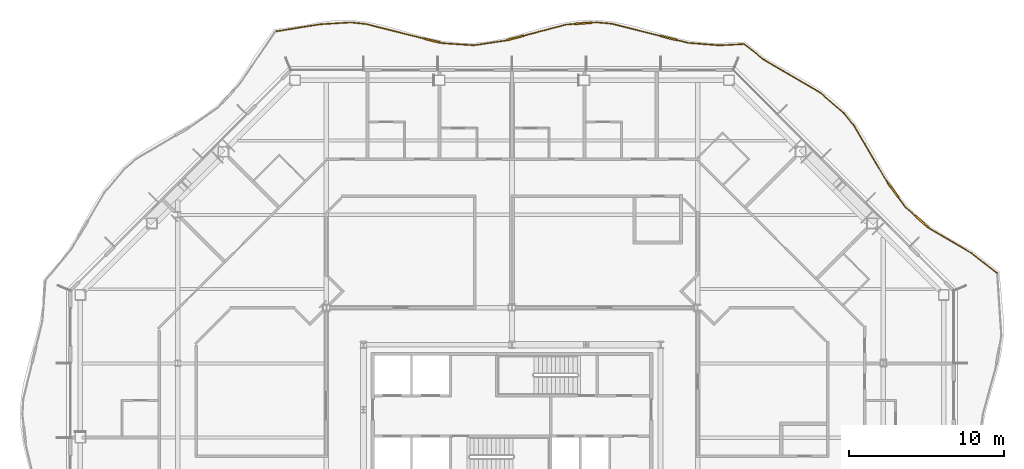
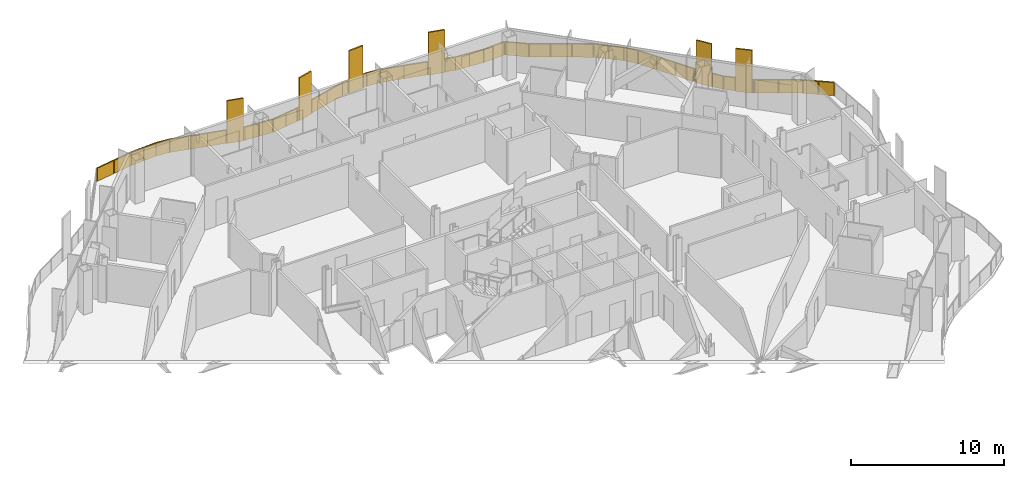
# One storey, part 21 of 21: 2 railings.
"""IFC4 building model written with IfcOpenShell, lengths in metres."""

from ifc_helpers import new_model, si_unit, direction, frame, origin, origin_2d, place, context, subcontext, project, spatial, polyline, rectangle, outline, extrude, material, type_object, element, save


model = new_model("IFC4")

# Units and contexts
model_context = context("Model", 3, precision=1e-05, world=origin(), true_north=direction((0.0, 1.0)))
body_context = subcontext(model_context, "Body", "Model", "MODEL_VIEW")
ifc_project = project(units=[si_unit("LENGTHUNIT", "METRE"), si_unit("AREAUNIT", "SQUARE_METRE"), si_unit("VOLUMEUNIT", "CUBIC_METRE"), si_unit("PLANEANGLEUNIT", "RADIAN"), si_unit("MASSUNIT", "GRAM", prefix="KILO")], contexts=[model_context])

# Site, building, storey
site_placement = place(None, origin())
site = spatial("IfcSite", under=ifc_project, at=site_placement, CompositionType="ELEMENT")
building_placement = place(site_placement, origin())
building = spatial("IfcBuilding", under=site, at=building_placement, Name="Cairn Pilgrim Tower", CompositionType="ELEMENT")
storey_placement = place(building_placement, frame((0.0, 0.0, 136.199951171875)))
storey = spatial("IfcBuildingStorey", under=building, at=storey_placement, Name="L33", CompositionType="ELEMENT", Elevation=136.199951171875)

# Railings
ifc_material = material(Name="Bronze anodised aluminium rail, posts and fin screens with laminated glass infill", Category="aluminium")
railing_type = type_object("IfcRailingType", Name="BALCONY GUARD WITH FIN SCREENS", PredefinedType="GUARDRAIL", material=ifc_material)
railing_1_placement = place(storey_placement, frame((38.553955078125, 15.44091796875, 0.0)))
element("IfcRailing", 1, at=railing_1_placement, inside=storey, type_object=railing_type, Name="Balcony guard BGF-4 with fin screens", PredefinedType="GUARDRAIL", context=body_context, shape_type="SweptSolid", body=[
    extrude(rectangle(XDim=0.050048828125, YDim=0.050048828125, at=origin_2d()), frame((0.0, 0.0, 1.0751953125), z_axis=(-0.789984986804, 0.613126186543, 0.0), x_axis=(-0.613126186543, -0.789984986804, 0.0)), (0.0, 0.0, 1.0), 2.076171875),
    extrude(rectangle(XDim=0.050048828125, YDim=0.050048828125, at=origin_2d()), frame((-1.64013671875, 1.27294921875, 1.0751953125), z_axis=(-0.862112873703, 0.506716284517, 0.0), x_axis=(-0.506716284517, -0.862112873703, 0.0)), (0.0, 0.0, 1.0), 3.16064453125),
    extrude(rectangle(XDim=1.10009765625, YDim=0.110107421875, at=origin_2d()), frame((-4.88916015625, 3.338623046875, 0.0), z_axis=(0.0, 0.0, 1.0), x_axis=(-0.748708517903, 0.662899355272, 0.0)), (0.0, 0.0, 1.0), 3.39990234375),
    extrude(rectangle(XDim=0.050048828125, YDim=0.050048828125, at=origin_2d()), frame((-4.364990234375, 2.87451171875, 1.0751953125), z_axis=(-0.748708517903, 0.662899355272, 0.0), x_axis=(-0.662899355272, -0.748708517903, 0.0)), (0.0, 0.0, 1.0), 0.150146484375),
    extrude(rectangle(XDim=0.050048828125, YDim=0.050048828125, at=origin_2d()), frame((-5.301025390625, 3.703369140625, 1.0751953125), z_axis=(-0.748708517903, 0.662899355272, 0.0), x_axis=(-0.662899355272, -0.748708517903, 0.0)), (0.0, 0.0, 1.0), 0.821044921875),
    extrude(rectangle(XDim=1.10009765625, YDim=0.110107421875, at=origin_2d()), frame((-6.72998046875, 5.36865234375, 0.0), z_axis=(0.0, 0.0, 1.0), x_axis=(-0.587698248928, 0.809080198872, 0.0)), (0.0, 0.0, 1.0), 3.39990234375),
    extrude(rectangle(XDim=0.050048828125, YDim=0.050048828125, at=origin_2d()), frame((-5.915771484375, 4.24755859375, 1.0751953125), z_axis=(-0.587698248928, 0.809080198872, 0.0), x_axis=(-0.809080198872, -0.587698248928, 0.0)), (0.0, 0.0, 1.0), 0.835693359375),
    extrude(rectangle(XDim=0.050048828125, YDim=0.050048828125, at=origin_2d()), frame((-7.05322265625, 5.813720703125, 1.0751953125), z_axis=(-0.587698248928, 0.809080198872, 0.0), x_axis=(-0.809080198872, -0.587698248928, 0.0)), (0.0, 0.0, 1.0), 0.14990234375),
    extrude(rectangle(XDim=0.050048828125, YDim=0.050048828125, at=origin_2d()), frame((-7.141357421875, 5.934814453125, 1.0751953125), z_axis=(-0.508004914675, 0.861354170284, 0.0), x_axis=(-0.861354170284, -0.508004914675, 0.0)), (0.0, 0.0, 1.0), 4.2021484375),
    extrude(rectangle(XDim=0.050048828125, YDim=0.050048828125, at=origin_2d()), frame((-9.276123046875, 9.554443359375, 1.0751953125), z_axis=(-0.631493491772, 0.775381177131, 0.0), x_axis=(-0.775381177131, -0.631493491772, 0.0)), (0.0, 0.0, 1.0), 0.999267578125),
    extrude(rectangle(XDim=0.050048828125, YDim=0.050048828125, at=origin_2d()), frame((-9.9072265625, 10.329345703125, 1.0751953125), z_axis=(-0.754203567869, 0.656640676637, 0.0), x_axis=(-0.656640676637, -0.754203567869, 0.0)), (0.0, 0.0, 1.0), 2.014404296875),
    extrude(rectangle(XDim=0.050048828125, YDim=0.050048828125, at=origin_2d()), frame((-11.426513671875, 11.652099609375, 1.0751953125), z_axis=(-0.863224821257, 0.504819678663, 0.0), x_axis=(-0.504819678663, -0.863224821257, 0.0)), (0.0, 0.0, 1.0), 4.20703125),
    extrude(rectangle(XDim=0.050048828125, YDim=0.050048828125, at=origin_2d()), frame((-15.05810546875, 13.77587890625, 1.0751953125), z_axis=(-0.78277699912, 0.62230231371, 0.0), x_axis=(-0.62230231371, -0.78277699912, 0.0)), (0.0, 0.0, 1.0), 1.582275390625),
    extrude(rectangle(XDim=0.050048828125, YDim=0.050048828125, at=origin_2d()), origin(), (0.0, 0.0, 1.0), 1.050048828125),
    extrude(rectangle(XDim=0.050048828125, YDim=0.050048828125, at=origin_2d()), frame((-0.820068359375, 0.636474609375, 0.0)), (0.0, 0.0, 1.0), 1.050048828125),
    extrude(rectangle(XDim=0.050048828125, YDim=0.050048828125, at=origin_2d()), frame((-1.64013671875, 1.27294921875, 0.0)), (0.0, 0.0, 1.0), 1.050048828125),
    extrude(rectangle(XDim=0.050048828125, YDim=0.050048828125, at=origin_2d()), frame((-3.00244140625, 2.07373046875, 0.0)), (0.0, 0.0, 1.0), 1.050048828125),
    extrude(rectangle(XDim=0.050048828125, YDim=0.050048828125, at=origin_2d()), frame((-4.364990234375, 2.87451171875, 0.0)), (0.0, 0.0, 1.0), 1.050048828125),
    extrude(rectangle(XDim=0.050048828125, YDim=0.050048828125, at=origin_2d()), frame((-4.458740234375, 2.95751953125, 0.0)), (0.0, 0.0, 1.0), 1.050048828125),
    extrude(rectangle(XDim=0.050048828125, YDim=0.050048828125, at=origin_2d()), frame((-5.31982421875, 3.7197265625, 0.0)), (0.0, 0.0, 1.0), 1.050048828125),
    extrude(rectangle(XDim=0.050048828125, YDim=0.050048828125, at=origin_2d()), frame((-5.915771484375, 4.24755859375, 0.0)), (0.0, 0.0, 1.0), 1.050048828125),
    extrude(rectangle(XDim=0.050048828125, YDim=0.050048828125, at=origin_2d()), frame((-6.39208984375, 4.9033203125, 0.0)), (0.0, 0.0, 1.0), 1.050048828125),
    extrude(rectangle(XDim=0.050048828125, YDim=0.050048828125, at=origin_2d()), frame((-7.068115234375, 5.833740234375, 0.0)), (0.0, 0.0, 1.0), 1.050048828125),
    extrude(rectangle(XDim=0.050048828125, YDim=0.050048828125, at=origin_2d()), frame((-7.141357421875, 5.934814453125, 0.0)), (0.0, 0.0, 1.0), 1.050048828125),
    extrude(rectangle(XDim=0.050048828125, YDim=0.050048828125, at=origin_2d()), frame((-7.85302734375, 7.141357421875, 0.0)), (0.0, 0.0, 1.0), 1.050048828125),
    extrude(rectangle(XDim=0.050048828125, YDim=0.050048828125, at=origin_2d()), frame((-8.564453125, 8.347900390625, 0.0)), (0.0, 0.0, 1.0), 1.050048828125),
    extrude(rectangle(XDim=0.050048828125, YDim=0.050048828125, at=origin_2d()), frame((-9.276123046875, 9.554443359375, 0.0)), (0.0, 0.0, 1.0), 1.050048828125),
    extrude(rectangle(XDim=0.050048828125, YDim=0.050048828125, at=origin_2d()), frame((-9.9072265625, 10.329345703125, 0.0)), (0.0, 0.0, 1.0), 1.050048828125),
    extrude(rectangle(XDim=0.050048828125, YDim=0.050048828125, at=origin_2d()), frame((-10.6669921875, 10.99072265625, 0.0)), (0.0, 0.0, 1.0), 1.050048828125),
    extrude(rectangle(XDim=0.050048828125, YDim=0.050048828125, at=origin_2d()), frame((-11.426513671875, 11.652099609375, 0.0)), (0.0, 0.0, 1.0), 1.050048828125),
    extrude(rectangle(XDim=0.050048828125, YDim=0.050048828125, at=origin_2d()), frame((-12.636962890625, 12.360107421875, 0.0)), (0.0, 0.0, 1.0), 1.050048828125),
    extrude(rectangle(XDim=0.050048828125, YDim=0.050048828125, at=origin_2d()), frame((-13.84765625, 13.06787109375, 0.0)), (0.0, 0.0, 1.0), 1.050048828125),
    extrude(rectangle(XDim=0.050048828125, YDim=0.050048828125, at=origin_2d()), frame((-15.05810546875, 13.77587890625, 0.0)), (0.0, 0.0, 1.0), 1.050048828125),
    extrude(rectangle(XDim=0.050048828125, YDim=0.050048828125, at=origin_2d()), frame((-16.296630859375, 14.760498046875, 0.0)), (0.0, 0.0, 1.0), 1.050048828125),
    extrude(outline(polyline([(0.02490234375, 0.0), (1.012939453125, 0.0), (1.012939453125, 1.050048828125), (0.02490234375, 1.050048828125), (0.02490234375, 0.0)])), frame((-0.003662109375, -0.004638671875, 0.0), z_axis=(0.613126186543, 0.789984986804, 0.0), x_axis=(-0.789984986804, 0.613126186543, 0.0)), (0.0, 0.0, 1.0), 0.011962890625),
    extrude(outline(polyline([(0.02490234375, 0.0), (1.012939453125, 0.0), (1.012939453125, 1.050048828125), (0.02490234375, 1.050048828125), (0.02490234375, 0.0)])), frame((-0.82373046875, 0.6318359375, 0.0), z_axis=(0.613126186543, 0.789984986804, 0.0), x_axis=(-0.789984986804, 0.613126186543, 0.0)), (0.0, 0.0, 1.0), 0.011962890625),
    extrude(outline(polyline([(0.02490234375, 0.0), (1.555419921875, 0.0), (1.555419921875, 1.050048828125), (0.02490234375, 1.050048828125), (0.02490234375, 0.0)])), frame((-1.64306640625, 1.267822265625, 0.0), z_axis=(0.506716284517, 0.862112873703, 0.0), x_axis=(-0.862112873703, 0.506716284517, 0.0)), (0.0, 0.0, 1.0), 0.011962890625),
    extrude(outline(polyline([(0.02490234375, 0.0), (1.555419921875, 0.0), (1.555419921875, 1.050048828125), (0.02490234375, 1.050048828125), (0.02490234375, 0.0)])), frame((-3.005615234375, 2.068603515625, 0.0), z_axis=(0.506716284517, 0.862112873703, 0.0), x_axis=(-0.862112873703, 0.506716284517, 0.0)), (0.0, 0.0, 1.0), 0.011962890625),
    extrude(outline(polyline([(0.02490234375, 0.0), (0.10009765625, 0.0), (0.10009765625, 1.050048828125), (0.02490234375, 1.050048828125), (0.02490234375, 0.0)])), frame((-4.368896484375, 2.8701171875, 0.0), z_axis=(0.662899355272, 0.748708517903, 0.0), x_axis=(-0.748708517903, 0.662899355272, 0.0)), (0.0, 0.0, 1.0), 0.011962890625),
    extrude(outline(polyline([(0.02490234375, 0.0), (0.77099609375, 0.0), (0.77099609375, 1.050048828125), (0.02490234375, 1.050048828125), (0.02490234375, 0.0)])), frame((-5.32373046875, 3.71533203125, 0.0), z_axis=(0.662899355272, 0.748708517903, 0.0), x_axis=(-0.748708517903, 0.662899355272, 0.0)), (0.0, 0.0, 1.0), 0.011962890625),
    extrude(outline(polyline([(0.02490234375, 0.0), (0.78564453125, 0.0), (0.78564453125, 1.050048828125), (0.02490234375, 1.050048828125), (0.02490234375, 0.0)])), frame((-5.920654296875, 4.244140625, 0.0), z_axis=(0.809080198872, 0.587698248928, 0.0), x_axis=(-0.587698248928, 0.809080198872, 0.0)), (0.0, 0.0, 1.0), 0.011962890625),
    extrude(outline(polyline([(0.02490234375, 0.0), (0.099853515625, 0.0), (0.099853515625, 1.050048828125), (0.02490234375, 1.050048828125), (0.02490234375, 0.0)])), frame((-7.07275390625, 5.830322265625, 0.0), z_axis=(0.809080198872, 0.587698248928, 0.0), x_axis=(-0.587698248928, 0.809080198872, 0.0)), (0.0, 0.0, 1.0), 0.011962890625),
    extrude(outline(polyline([(0.02490234375, 0.0), (1.375732421875, 0.0), (1.375732421875, 1.050048828125), (0.02490234375, 1.050048828125), (0.02490234375, 0.0)])), frame((-7.146484375, 5.931884765625, 0.0), z_axis=(0.861354170284, 0.508004914675, 0.0), x_axis=(-0.508004914675, 0.861354170284, 0.0)), (0.0, 0.0, 1.0), 0.011962890625),
    extrude(outline(polyline([(0.02490234375, 0.0), (1.375732421875, 0.0), (1.375732421875, 1.050048828125), (0.02490234375, 1.050048828125), (0.02490234375, 0.0)])), frame((-7.858154296875, 7.138427734375, 0.0), z_axis=(0.861354170284, 0.508004914675, 0.0), x_axis=(-0.508004914675, 0.861354170284, 0.0)), (0.0, 0.0, 1.0), 0.011962890625),
    extrude(outline(polyline([(0.02490234375, 0.0), (1.375732421875, 0.0), (1.375732421875, 1.050048828125), (0.02490234375, 1.050048828125), (0.02490234375, 0.0)])), frame((-8.569580078125, 8.344970703125, 0.0), z_axis=(0.861354170284, 0.508004914675, 0.0), x_axis=(-0.508004914675, 0.861354170284, 0.0)), (0.0, 0.0, 1.0), 0.011962890625),
    extrude(outline(polyline([(0.02490234375, 0.0), (0.974365234375, 0.0), (0.974365234375, 1.050048828125), (0.02490234375, 1.050048828125), (0.02490234375, 0.0)])), frame((-9.28076171875, 9.55078125, 0.0), z_axis=(0.775381177131, 0.631493491772, 0.0), x_axis=(-0.631493491772, 0.775381177131, 0.0)), (0.0, 0.0, 1.0), 0.011962890625),
    extrude(outline(polyline([(0.02490234375, 0.0), (0.982177734375, 0.0), (0.982177734375, 1.050048828125), (0.02490234375, 1.050048828125), (0.02490234375, 0.0)])), frame((-9.9111328125, 10.324951171875, 0.0), z_axis=(0.656640676637, 0.754203567869, 0.0), x_axis=(-0.754203567869, 0.656640676637, 0.0)), (0.0, 0.0, 1.0), 0.011962890625),
    extrude(outline(polyline([(0.02490234375, 0.0), (0.982177734375, 0.0), (0.982177734375, 1.050048828125), (0.02490234375, 1.050048828125), (0.02490234375, 0.0)])), frame((-10.6708984375, 10.986328125, 0.0), z_axis=(0.656640676637, 0.754203567869, 0.0), x_axis=(-0.754203567869, 0.656640676637, 0.0)), (0.0, 0.0, 1.0), 0.011962890625),
    extrude(outline(polyline([(0.02490234375, 0.0), (1.377197265625, 0.0), (1.377197265625, 1.050048828125), (0.02490234375, 1.050048828125), (0.02490234375, 0.0)])), frame((-11.429443359375, 11.64697265625, 0.0), z_axis=(0.504819678663, 0.863224821257, 0.0), x_axis=(-0.863224821257, 0.504819678663, 0.0)), (0.0, 0.0, 1.0), 0.011962890625),
    extrude(outline(polyline([(0.02490234375, 0.0), (1.377197265625, 0.0), (1.377197265625, 1.050048828125), (0.02490234375, 1.050048828125), (0.02490234375, 0.0)])), frame((-12.64013671875, 12.35498046875, 0.0), z_axis=(0.504819678663, 0.863224821257, 0.0), x_axis=(-0.863224821257, 0.504819678663, 0.0)), (0.0, 0.0, 1.0), 0.011962890625),
    extrude(outline(polyline([(0.02490234375, 0.0), (1.377197265625, 0.0), (1.377197265625, 1.050048828125), (0.02490234375, 1.050048828125), (0.02490234375, 0.0)])), frame((-13.8505859375, 13.062744140625, 0.0), z_axis=(0.504819678663, 0.863224821257, 0.0), x_axis=(-0.863224821257, 0.504819678663, 0.0)), (0.0, 0.0, 1.0), 0.011962890625),
    extrude(outline(polyline([(0.02490234375, 0.0), (1.55712890625, 0.0), (1.55712890625, 1.050048828125), (0.02490234375, 1.050048828125), (0.02490234375, 0.0)])), frame((-15.061767578125, 13.771240234375, 0.0), z_axis=(0.62230231371, 0.78277699912, 0.0), x_axis=(-0.78277699912, 0.62230231371, 0.0)), (0.0, 0.0, 1.0), 0.011962890625),
])
railing_2_placement = place(storey_placement, frame((22.21044921875, 30.23876953125, 0.0)))
element("IfcRailing", 2, at=railing_2_placement, inside=storey, type_object=railing_type, Name="Balcony guard BGF-5 with fin screens", PredefinedType="GUARDRAIL", context=body_context, shape_type="SweptSolid", body=[
    extrude(rectangle(XDim=0.050048828125, YDim=0.050048828125, at=origin_2d()), frame((0.0, 0.0, 1.0751953125), z_axis=(-0.998610688741, -0.052694329226, 0.0), x_axis=(0.052694329226, -0.998610688741, 0.0)), (0.0, 0.0, 1.0), 1.607666015625),
    extrude(rectangle(XDim=0.050048828125, YDim=0.050048828125, at=origin_2d()), frame((-1.60546875, -0.084716796875, 1.0751953125), z_axis=(-0.996845642302, 0.079364761846, 0.0), x_axis=(-0.079364761846, -0.996845642302, 0.0)), (0.0, 0.0, 1.0), 2.014892578125),
    extrude(rectangle(XDim=1.10009765625, YDim=0.110107421875, at=origin_2d()), frame((-4.89111328125, 0.3935546875, 0.0), z_axis=(0.0, 0.0, 1.0), x_axis=(-0.970296617056, 0.241918322849, 0.0)), (0.0, 0.0, 1.0), 3.39990234375),
    extrude(rectangle(XDim=0.050048828125, YDim=0.050048828125, at=origin_2d()), frame((-3.614013671875, 0.0751953125, 1.0751953125), z_axis=(-0.970296617056, 0.241918322849, 0.0), x_axis=(-0.241918322849, -0.970296617056, 0.0)), (0.0, 0.0, 1.0), 0.76611328125),
    extrude(rectangle(XDim=0.050048828125, YDim=0.050048828125, at=origin_2d()), frame((-5.4248046875, 0.526611328125, 1.0751953125), z_axis=(-0.970296617056, 0.241918322849, 0.0), x_axis=(-0.241918322849, -0.970296617056, 0.0)), (0.0, 0.0, 1.0), 3.25244140625),
    extrude(rectangle(XDim=0.050048828125, YDim=0.050048828125, at=origin_2d()), frame((-8.58056640625, 1.3134765625, 1.0751953125), z_axis=(-0.995638594988, 0.093294095047, 0.0), x_axis=(-0.093294095047, -0.995638594988, 0.0)), (0.0, 0.0, 1.0), 0.973388671875),
    extrude(rectangle(XDim=1.10009765625, YDim=0.110107421875, at=origin_2d()), frame((-10.433349609375, 1.33935546875, 0.0), z_axis=(0.0, 0.0, 1.0), x_axis=(-0.997301208337, -0.073418661451, 0.0)), (0.0, 0.0, 1.0), 3.39990234375),
    extrude(rectangle(XDim=0.050048828125, YDim=0.050048828125, at=origin_2d()), frame((-9.5498046875, 1.404296875, 1.0751953125), z_axis=(-0.997301208337, -0.073418661451, 0.0), x_axis=(0.073418661451, -0.997301208337, 0.0)), (0.0, 0.0, 1.0), 0.3359375),
    extrude(rectangle(XDim=0.050048828125, YDim=0.050048828125, at=origin_2d()), frame((-10.981689453125, 1.298828125, 1.0751953125), z_axis=(-0.997301208337, -0.073418661451, 0.0), x_axis=(0.073418661451, -0.997301208337, 0.0)), (0.0, 0.0, 1.0), 0.529541015625),
    extrude(rectangle(XDim=1.10009765625, YDim=0.110107421875, at=origin_2d()), frame((-14.7998046875, 0.39501953125, 0.0), z_axis=(0.0, 0.0, 1.0), x_axis=(-0.967133876349, -0.254267703844, 0.0)), (0.0, 0.0, 1.0), 3.39990234375),
    extrude(rectangle(XDim=0.050048828125, YDim=0.050048828125, at=origin_2d()), frame((-11.509765625, 1.260009765625, 1.0751953125), z_axis=(-0.967133876349, -0.254267703844, 0.0), x_axis=(0.254267703844, -0.967133876349, 0.0)), (0.0, 0.0, 1.0), 2.851806640625),
    extrude(rectangle(XDim=0.050048828125, YDim=0.050048828125, at=origin_2d()), frame((-15.33154296875, 0.255126953125, 1.0751953125), z_axis=(-0.967133876349, -0.254267703844, 0.0), x_axis=(0.254267703844, -0.967133876349, 0.0)), (0.0, 0.0, 1.0), 0.150146484375),
    extrude(rectangle(XDim=0.050048828125, YDim=0.050048828125, at=origin_2d()), frame((-15.476806640625, 0.217041015625, 1.0751953125), z_axis=(-0.989203462354, -0.146548661089, 0.0), x_axis=(0.146548661089, -0.989203462354, 0.0)), (0.0, 0.0, 1.0), 2.032470703125),
    extrude(rectangle(XDim=0.050048828125, YDim=0.050048828125, at=origin_2d()), frame((-17.4873046875, -0.080810546875, 1.0751953125), z_axis=(-0.99772377999, 0.067433365944, 0.0), x_axis=(-0.067433365944, -0.99772377999, 0.0)), (0.0, 0.0, 1.0), 2.020263671875),
    extrude(rectangle(XDim=1.10009765625, YDim=0.110107421875, at=origin_2d()), frame((-20.181884765625, 0.22509765625, 0.0), z_axis=(0.0, 0.0, 1.0), x_axis=(-0.970159323814, 0.242468320438, 0.0)), (0.0, 0.0, 1.0), 3.39990234375),
    extrude(rectangle(XDim=0.050048828125, YDim=0.050048828125, at=origin_2d()), frame((-19.5029296875, 0.055419921875, 1.0751953125), z_axis=(-0.970159323814, 0.242468320438, 0.0), x_axis=(-0.242468320438, -0.970159323814, 0.0)), (0.0, 0.0, 1.0), 0.14990234375),
    extrude(rectangle(XDim=0.050048828125, YDim=0.050048828125, at=origin_2d()), frame((-20.715576171875, 0.3583984375, 1.0751953125), z_axis=(-0.970159323814, 0.242468320438, 0.0), x_axis=(-0.242468320438, -0.970159323814, 0.0)), (0.0, 0.0, 1.0), 3.871337890625),
    extrude(rectangle(XDim=0.050048828125, YDim=0.050048828125, at=origin_2d()), frame((-24.47119140625, 1.297119140625, 1.0751953125), z_axis=(-0.994487612581, 0.104854129258, 0.0), x_axis=(-0.104854129258, -0.994487612581, 0.0)), (0.0, 0.0, 1.0), 0.9755859375),
    extrude(rectangle(XDim=0.050048828125, YDim=0.050048828125, at=origin_2d()), frame((-25.44140625, 1.3994140625, 1.0751953125), z_axis=(-0.998109063646, -0.061467853932, 0.0), x_axis=(0.061467853932, -0.998109063646, 0.0)), (0.0, 0.0, 1.0), 1.969970703125),
    extrude(rectangle(XDim=0.050048828125, YDim=0.050048828125, at=origin_2d()), frame((-27.40771484375, 1.2783203125, 1.0751953125), z_axis=(-0.987312348881, -0.158790194113, 0.0), x_axis=(0.158790194113, -0.987312348881, 0.0)), (0.0, 0.0, 1.0), 2.88134765625),
    extrude(rectangle(XDim=0.050048828125, YDim=0.050048828125, at=origin_2d()), origin(), (0.0, 0.0, 1.0), 1.050048828125),
    extrude(rectangle(XDim=0.050048828125, YDim=0.050048828125, at=origin_2d()), frame((-1.60546875, -0.084716796875, 0.0)), (0.0, 0.0, 1.0), 1.050048828125),
    extrude(rectangle(XDim=0.050048828125, YDim=0.050048828125, at=origin_2d()), frame((-2.60986328125, -0.0048828125, 0.0)), (0.0, 0.0, 1.0), 1.050048828125),
    extrude(rectangle(XDim=0.050048828125, YDim=0.050048828125, at=origin_2d()), frame((-3.614013671875, 0.0751953125, 0.0)), (0.0, 0.0, 1.0), 1.050048828125),
    extrude(rectangle(XDim=0.050048828125, YDim=0.050048828125, at=origin_2d()), frame((-4.333251953125, 0.25439453125, 0.0)), (0.0, 0.0, 1.0), 1.050048828125),
    extrude(rectangle(XDim=0.050048828125, YDim=0.050048828125, at=origin_2d()), frame((-5.448974609375, 0.53271484375, 0.0)), (0.0, 0.0, 1.0), 1.050048828125),
    extrude(rectangle(XDim=0.050048828125, YDim=0.050048828125, at=origin_2d()), frame((-7.014892578125, 0.923095703125, 0.0)), (0.0, 0.0, 1.0), 1.050048828125),
    extrude(rectangle(XDim=0.050048828125, YDim=0.050048828125, at=origin_2d()), frame((-8.58056640625, 1.3134765625, 0.0)), (0.0, 0.0, 1.0), 1.050048828125),
    extrude(rectangle(XDim=0.050048828125, YDim=0.050048828125, at=origin_2d()), frame((-9.5498046875, 1.404296875, 0.0)), (0.0, 0.0, 1.0), 1.050048828125),
    extrude(rectangle(XDim=0.050048828125, YDim=0.050048828125, at=origin_2d()), frame((-9.85986328125, 1.381591796875, 0.0)), (0.0, 0.0, 1.0), 1.050048828125),
    extrude(rectangle(XDim=0.050048828125, YDim=0.050048828125, at=origin_2d()), frame((-11.006591796875, 1.297119140625, 0.0)), (0.0, 0.0, 1.0), 1.050048828125),
    extrude(rectangle(XDim=0.050048828125, YDim=0.050048828125, at=origin_2d()), frame((-11.509765625, 1.260009765625, 0.0)), (0.0, 0.0, 1.0), 1.050048828125),
    extrude(rectangle(XDim=0.050048828125, YDim=0.050048828125, at=origin_2d()), frame((-12.876708984375, 0.900634765625, 0.0)), (0.0, 0.0, 1.0), 1.050048828125),
    extrude(rectangle(XDim=0.050048828125, YDim=0.050048828125, at=origin_2d()), frame((-14.24365234375, 0.541259765625, 0.0)), (0.0, 0.0, 1.0), 1.050048828125),
    extrude(rectangle(XDim=0.050048828125, YDim=0.050048828125, at=origin_2d()), frame((-15.35595703125, 0.248779296875, 0.0)), (0.0, 0.0, 1.0), 1.050048828125),
    extrude(rectangle(XDim=0.050048828125, YDim=0.050048828125, at=origin_2d()), frame((-15.476806640625, 0.217041015625, 0.0)), (0.0, 0.0, 1.0), 1.050048828125),
    extrude(rectangle(XDim=0.050048828125, YDim=0.050048828125, at=origin_2d()), frame((-16.48193359375, 0.068115234375, 0.0)), (0.0, 0.0, 1.0), 1.050048828125),
    extrude(rectangle(XDim=0.050048828125, YDim=0.050048828125, at=origin_2d()), frame((-17.4873046875, -0.080810546875, 0.0)), (0.0, 0.0, 1.0), 1.050048828125),
    extrude(rectangle(XDim=0.050048828125, YDim=0.050048828125, at=origin_2d()), frame((-18.4951171875, -0.0126953125, 0.0)), (0.0, 0.0, 1.0), 1.050048828125),
    extrude(rectangle(XDim=0.050048828125, YDim=0.050048828125, at=origin_2d()), frame((-19.5029296875, 0.055419921875, 0.0)), (0.0, 0.0, 1.0), 1.050048828125),
    extrude(rectangle(XDim=0.050048828125, YDim=0.050048828125, at=origin_2d()), frame((-19.6240234375, 0.085693359375, 0.0)), (0.0, 0.0, 1.0), 1.050048828125),
    extrude(rectangle(XDim=0.050048828125, YDim=0.050048828125, at=origin_2d()), frame((-20.73974609375, 0.364501953125, 0.0)), (0.0, 0.0, 1.0), 1.050048828125),
    extrude(rectangle(XDim=0.050048828125, YDim=0.050048828125, at=origin_2d()), frame((-21.983642578125, 0.67529296875, 0.0)), (0.0, 0.0, 1.0), 1.050048828125),
    extrude(rectangle(XDim=0.050048828125, YDim=0.050048828125, at=origin_2d()), frame((-23.227294921875, 0.986328125, 0.0)), (0.0, 0.0, 1.0), 1.050048828125),
    extrude(rectangle(XDim=0.050048828125, YDim=0.050048828125, at=origin_2d()), frame((-24.47119140625, 1.297119140625, 0.0)), (0.0, 0.0, 1.0), 1.050048828125),
    extrude(rectangle(XDim=0.050048828125, YDim=0.050048828125, at=origin_2d()), frame((-25.44140625, 1.3994140625, 0.0)), (0.0, 0.0, 1.0), 1.050048828125),
    extrude(rectangle(XDim=0.050048828125, YDim=0.050048828125, at=origin_2d()), frame((-26.424560546875, 1.3388671875, 0.0)), (0.0, 0.0, 1.0), 1.050048828125),
    extrude(rectangle(XDim=0.050048828125, YDim=0.050048828125, at=origin_2d()), frame((-27.40771484375, 1.2783203125, 0.0)), (0.0, 0.0, 1.0), 1.050048828125),
    extrude(rectangle(XDim=0.050048828125, YDim=0.050048828125, at=origin_2d()), frame((-28.830078125, 1.049560546875, 0.0)), (0.0, 0.0, 1.0), 1.050048828125),
    extrude(rectangle(XDim=0.050048828125, YDim=0.050048828125, at=origin_2d()), frame((-30.25244140625, 0.82080078125, 0.0)), (0.0, 0.0, 1.0), 1.050048828125),
    extrude(outline(polyline([(0.02490234375, 0.0), (1.582763671875, 0.0), (1.582763671875, 1.050048828125), (0.02490234375, 1.050048828125), (0.02490234375, 0.0)])), frame((0.000244140625, -0.005859375, 0.0), z_axis=(-0.052694329226, 0.998610688741, 0.0), x_axis=(-0.998610688741, -0.052694329226, 0.0)), (0.0, 0.0, 1.0), 0.011962890625),
    extrude(outline(polyline([(0.02490234375, 0.0), (0.982421875, 0.0), (0.982421875, 1.050048828125), (0.02490234375, 1.050048828125), (0.02490234375, 0.0)])), frame((-1.60595703125, -0.090576171875, 0.0), z_axis=(0.079364761846, 0.996845642302, 0.0), x_axis=(-0.996845642302, 0.079364761846, 0.0)), (0.0, 0.0, 1.0), 0.011962890625),
    extrude(outline(polyline([(0.02490234375, 0.0), (0.982421875, 0.0), (0.982421875, 1.050048828125), (0.02490234375, 1.050048828125), (0.02490234375, 0.0)])), frame((-2.610107421875, -0.0107421875, 0.0), z_axis=(0.079364761846, 0.996845642302, 0.0), x_axis=(-0.996845642302, 0.079364761846, 0.0)), (0.0, 0.0, 1.0), 0.011962890625),
    extrude(outline(polyline([(0.02490234375, 0.0), (0.716064453125, 0.0), (0.716064453125, 1.050048828125), (0.02490234375, 1.050048828125), (0.02490234375, 0.0)])), frame((-3.615478515625, 0.0693359375, 0.0), z_axis=(0.241918322849, 0.970296617056, 0.0), x_axis=(-0.970296617056, 0.241918322849, 0.0)), (0.0, 0.0, 1.0), 0.011962890625),
    extrude(outline(polyline([(0.02490234375, 0.0), (1.588623046875, 0.0), (1.588623046875, 1.050048828125), (0.02490234375, 1.050048828125), (0.02490234375, 0.0)])), frame((-5.450439453125, 0.52685546875, 0.0), z_axis=(0.241918322849, 0.970296617056, 0.0), x_axis=(-0.970296617056, 0.241918322849, 0.0)), (0.0, 0.0, 1.0), 0.011962890625),
    extrude(outline(polyline([(0.02490234375, 0.0), (1.588623046875, 0.0), (1.588623046875, 1.050048828125), (0.02490234375, 1.050048828125), (0.02490234375, 0.0)])), frame((-7.016357421875, 0.917236328125, 0.0), z_axis=(0.241918322849, 0.970296617056, 0.0), x_axis=(-0.970296617056, 0.241918322849, 0.0)), (0.0, 0.0, 1.0), 0.011962890625),
    extrude(outline(polyline([(0.02490234375, 0.0), (0.948486328125, 0.0), (0.948486328125, 1.050048828125), (0.02490234375, 1.050048828125), (0.02490234375, 0.0)])), frame((-8.5810546875, 1.3076171875, 0.0), z_axis=(0.093294095047, 0.995638594988, 0.0), x_axis=(-0.995638594988, 0.093294095047, 0.0)), (0.0, 0.0, 1.0), 0.011962890625),
    extrude(outline(polyline([(0.02490234375, 0.0), (0.285888671875, 0.0), (0.285888671875, 1.050048828125), (0.02490234375, 1.050048828125), (0.02490234375, 0.0)])), frame((-9.54931640625, 1.3984375, 0.0), z_axis=(-0.073418661451, 0.997301208337, 0.0), x_axis=(-0.997301208337, -0.073418661451, 0.0)), (0.0, 0.0, 1.0), 0.011962890625),
    extrude(outline(polyline([(0.02490234375, 0.0), (0.4794921875, 0.0), (0.4794921875, 1.050048828125), (0.02490234375, 1.050048828125), (0.02490234375, 0.0)])), frame((-11.00634765625, 1.291015625, 0.0), z_axis=(-0.073418661451, 0.997301208337, 0.0), x_axis=(-0.997301208337, -0.073418661451, 0.0)), (0.0, 0.0, 1.0), 0.011962890625),
    extrude(outline(polyline([(0.02490234375, 0.0), (1.388427734375, 0.0), (1.388427734375, 1.050048828125), (0.02490234375, 1.050048828125), (0.02490234375, 0.0)])), frame((-11.50830078125, 1.254150390625, 0.0), z_axis=(-0.254267703844, 0.967133876349, 0.0), x_axis=(-0.967133876349, -0.254267703844, 0.0)), (0.0, 0.0, 1.0), 0.011962890625),
    extrude(outline(polyline([(0.02490234375, 0.0), (1.388427734375, 0.0), (1.388427734375, 1.050048828125), (0.02490234375, 1.050048828125), (0.02490234375, 0.0)])), frame((-12.875244140625, 0.894775390625, 0.0), z_axis=(-0.254267703844, 0.967133876349, 0.0), x_axis=(-0.967133876349, -0.254267703844, 0.0)), (0.0, 0.0, 1.0), 0.011962890625),
    extrude(outline(polyline([(0.02490234375, 0.0), (0.10009765625, 0.0), (0.10009765625, 1.050048828125), (0.02490234375, 1.050048828125), (0.02490234375, 0.0)])), frame((-15.354248046875, 0.2431640625, 0.0), z_axis=(-0.254267703844, 0.967133876349, 0.0), x_axis=(-0.967133876349, -0.254267703844, 0.0)), (0.0, 0.0, 1.0), 0.011962890625),
    extrude(outline(polyline([(0.02490234375, 0.0), (0.9912109375, 0.0), (0.9912109375, 1.050048828125), (0.02490234375, 1.050048828125), (0.02490234375, 0.0)])), frame((-15.475830078125, 0.211181640625, 0.0), z_axis=(-0.146548661089, 0.989203462354, 0.0), x_axis=(-0.989203462354, -0.146548661089, 0.0)), (0.0, 0.0, 1.0), 0.011962890625),
    extrude(outline(polyline([(0.02490234375, 0.0), (0.9912109375, 0.0), (0.9912109375, 1.050048828125), (0.02490234375, 1.050048828125), (0.02490234375, 0.0)])), frame((-16.481201171875, 0.062255859375, 0.0), z_axis=(-0.146548661089, 0.989203462354, 0.0), x_axis=(-0.989203462354, -0.146548661089, 0.0)), (0.0, 0.0, 1.0), 0.011962890625),
    extrude(outline(polyline([(0.02490234375, 0.0), (0.985107421875, 0.0), (0.985107421875, 1.050048828125), (0.02490234375, 1.050048828125), (0.02490234375, 0.0)])), frame((-17.48779296875, -0.086669921875, 0.0), z_axis=(0.067433365944, 0.99772377999, 0.0), x_axis=(-0.99772377999, 0.067433365944, 0.0)), (0.0, 0.0, 1.0), 0.011962890625),
    extrude(outline(polyline([(0.02490234375, 0.0), (0.985107421875, 0.0), (0.985107421875, 1.050048828125), (0.02490234375, 1.050048828125), (0.02490234375, 0.0)])), frame((-18.49560546875, -0.0185546875, 0.0), z_axis=(0.067433365944, 0.99772377999, 0.0), x_axis=(-0.99772377999, 0.067433365944, 0.0)), (0.0, 0.0, 1.0), 0.011962890625),
    extrude(outline(polyline([(0.02490234375, 0.0), (0.099853515625, 0.0), (0.099853515625, 1.050048828125), (0.02490234375, 1.050048828125), (0.02490234375, 0.0)])), frame((-19.50439453125, 0.049560546875, 0.0), z_axis=(0.242468320438, 0.970159323814, 0.0), x_axis=(-0.970159323814, 0.242468320438, 0.0)), (0.0, 0.0, 1.0), 0.011962890625),
    extrude(outline(polyline([(0.02490234375, 0.0), (1.257080078125, 0.0), (1.257080078125, 1.050048828125), (0.02490234375, 1.050048828125), (0.02490234375, 0.0)])), frame((-20.7412109375, 0.358642578125, 0.0), z_axis=(0.242468320438, 0.970159323814, 0.0), x_axis=(-0.970159323814, 0.242468320438, 0.0)), (0.0, 0.0, 1.0), 0.011962890625),
    extrude(outline(polyline([(0.02490234375, 0.0), (1.257080078125, 0.0), (1.257080078125, 1.050048828125), (0.02490234375, 1.050048828125), (0.02490234375, 0.0)])), frame((-21.985107421875, 0.669677734375, 0.0), z_axis=(0.242468320438, 0.970159323814, 0.0), x_axis=(-0.970159323814, 0.242468320438, 0.0)), (0.0, 0.0, 1.0), 0.011962890625),
    extrude(outline(polyline([(0.02490234375, 0.0), (1.257080078125, 0.0), (1.257080078125, 1.050048828125), (0.02490234375, 1.050048828125), (0.02490234375, 0.0)])), frame((-23.228759765625, 0.98046875, 0.0), z_axis=(0.242468320438, 0.970159323814, 0.0), x_axis=(-0.970159323814, 0.242468320438, 0.0)), (0.0, 0.0, 1.0), 0.011962890625),
    extrude(outline(polyline([(0.02490234375, 0.0), (0.95068359375, 0.0), (0.95068359375, 1.050048828125), (0.02490234375, 1.050048828125), (0.02490234375, 0.0)])), frame((-24.471923828125, 1.291259765625, 0.0), z_axis=(0.104854129258, 0.994487612581, 0.0), x_axis=(-0.994487612581, 0.104854129258, 0.0)), (0.0, 0.0, 1.0), 0.011962890625),
    extrude(outline(polyline([(0.02490234375, 0.0), (0.9599609375, 0.0), (0.9599609375, 1.050048828125), (0.02490234375, 1.050048828125), (0.02490234375, 0.0)])), frame((-25.44091796875, 1.3935546875, 0.0), z_axis=(-0.061467853932, 0.998109063646, 0.0), x_axis=(-0.998109063646, -0.061467853932, 0.0)), (0.0, 0.0, 1.0), 0.011962890625),
    extrude(outline(polyline([(0.02490234375, 0.0), (0.9599609375, 0.0), (0.9599609375, 1.050048828125), (0.02490234375, 1.050048828125), (0.02490234375, 0.0)])), frame((-26.424072265625, 1.3330078125, 0.0), z_axis=(-0.061467853932, 0.998109063646, 0.0), x_axis=(-0.998109063646, -0.061467853932, 0.0)), (0.0, 0.0, 1.0), 0.011962890625),
    extrude(outline(polyline([(0.02490234375, 0.0), (1.41552734375, 0.0), (1.41552734375, 1.050048828125), (0.02490234375, 1.050048828125), (0.02490234375, 0.0)])), frame((-27.40673828125, 1.2724609375, 0.0), z_axis=(-0.158790194113, 0.987312348881, 0.0), x_axis=(-0.987312348881, -0.158790194113, 0.0)), (0.0, 0.0, 1.0), 0.011962890625),
    extrude(outline(polyline([(0.02490234375, 0.0), (1.41552734375, 0.0), (1.41552734375, 1.050048828125), (0.02490234375, 1.050048828125), (0.02490234375, 0.0)])), frame((-28.8291015625, 1.043701171875, 0.0), z_axis=(-0.158790194113, 0.987312348881, 0.0), x_axis=(-0.987312348881, -0.158790194113, 0.0)), (0.0, 0.0, 1.0), 0.011962890625),
])

save(model, "model.ifc")
